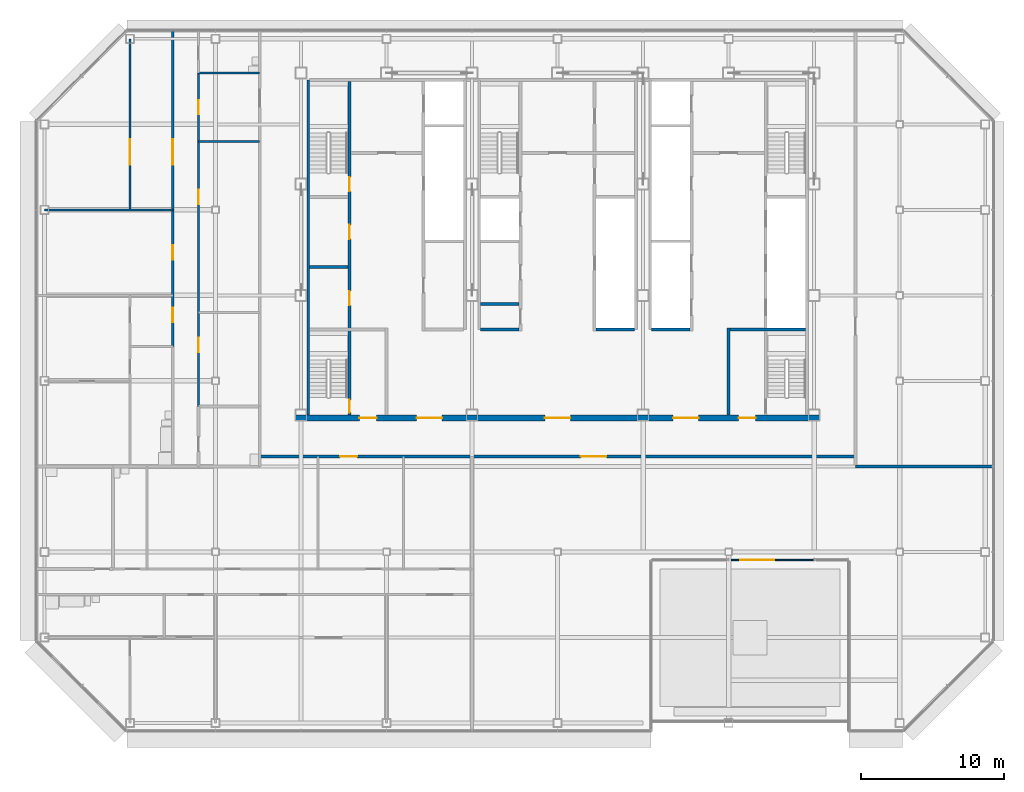
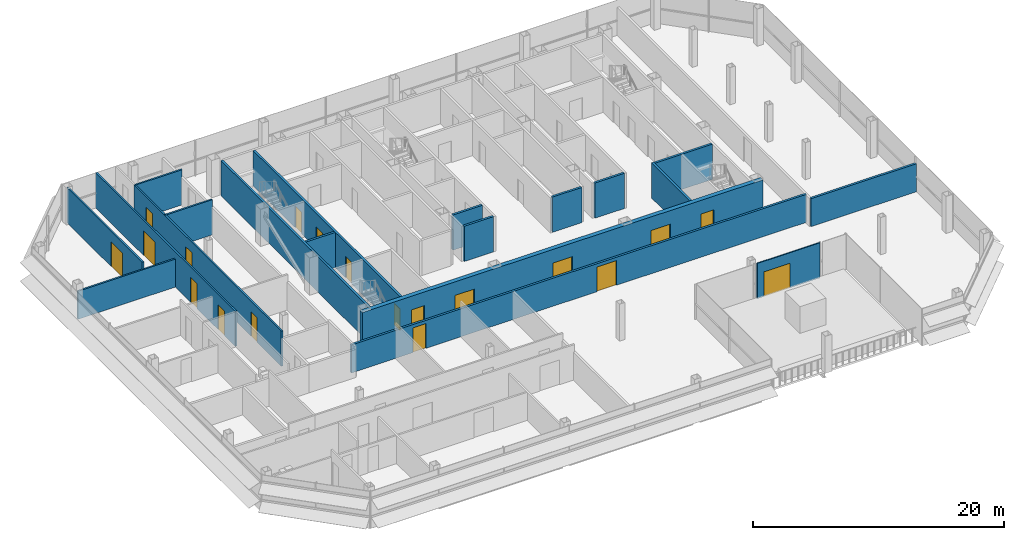
# One storey, part 23 of 30: 19 doors, 19 walls, 19 openings.
"""IFC4 building model written with IfcOpenShell, lengths in metres."""

from ifc_helpers import new_model, si_unit, direction, frame, frame_2d, origin, place, context, subcontext, project, spatial, rectangle, extrude, material, layer, layer_set, type_object, element, fill, save


model = new_model("IFC4")

# Units and contexts
model_context = context("Model", 3, precision=1e-05, world=origin(), true_north=direction((0.0, 1.0)))
body_context = subcontext(model_context, "Body", "Model", "MODEL_VIEW")
ifc_project = project(units=[si_unit("LENGTHUNIT", "METRE"), si_unit("AREAUNIT", "SQUARE_METRE"), si_unit("VOLUMEUNIT", "CUBIC_METRE"), si_unit("PLANEANGLEUNIT", "RADIAN"), si_unit("MASSUNIT", "GRAM", prefix="KILO")], contexts=[model_context])

# Site, building, storey
site_placement = place(None, origin())
site = spatial("IfcSite", under=ifc_project, at=site_placement, CompositionType="ELEMENT")
building_placement = place(site_placement, origin())
building = spatial("IfcBuilding", under=site, at=building_placement, Name="Sorahane Residences", CompositionType="ELEMENT")
storey_placement = place(building_placement, frame((0.0, 0.0, 263.0)))
storey = spatial("IfcBuildingStorey", under=building, at=storey_placement, Name="L62", CompositionType="ELEMENT", Elevation=263.0)

# Walls
ifc_material_1 = material(Name="Concrete C30", Category="concrete")
ifc_layer_1 = layer(ifc_material_1, 0.199951171875)
ifc_layer_set_1 = layer_set([ifc_layer_1], Name="Core face wall 200 EI 180")
wall_type_1 = type_object("IfcWallType", Name="Core face wall 200 EI 180", PredefinedType="SOLIDWALL", material=ifc_layer_set_1)
wall_1_placement = place(storey_placement, frame((6.5, 21.60009765625, 0.0), z_axis=(0.0, 0.0, 1.0), x_axis=(0.0, 1.0, 0.0)))
element("IfcWall", 1, at=wall_1_placement, inside=storey, type_object=wall_type_1, Name="L62 core face wall", PredefinedType="SOLIDWALL", context=body_context, shape_type="SweptSolid", body=[
    extrude(rectangle(XDim=23.5, YDim=0.199951171875, at=frame_2d((11.75, 0.0))), origin(), (0.0, 0.0, 1.0), 3.419921875),
])
ifc_material_2 = material(Name="Concrete blockwork C20 wall", Category="masonry")
ifc_layer_2 = layer(ifc_material_2, 0.199951171875)
ifc_layer_set_2 = layer_set([ifc_layer_2], Name="Corridor wall 200 EI 120")
wall_type_2 = type_object("IfcWallType", Name="Corridor wall 200 EI 120", PredefinedType="SOLIDWALL", material=ifc_layer_set_2)
wall_2_placement = place(storey_placement, frame((44.902099609375, 18.0, 0.0), z_axis=(0.0, 0.0, 1.0), x_axis=(1.0, 0.0, 0.0)))
element("IfcWall", 2, at=wall_2_placement, inside=storey, type_object=wall_type_2, Name="L62 corridor wall", PredefinedType="SOLIDWALL", context=body_context, shape_type="SweptSolid", body=[
    extrude(rectangle(XDim=9.697998046875, YDim=0.199951171875, at=frame_2d((4.84912109375, 0.0))), origin(), (0.0, 0.0, 1.0), 2.719970703125),
])

# Wall, openings, doors
wall_3_placement = place(storey_placement, frame((3.10009765625, 18.699951171875, 0.0), z_axis=(0.0, 0.0, 1.0), x_axis=(1.0, 0.0, 0.0)))
wall_3 = element("IfcWall", 3, at=wall_3_placement, inside=storey, type_object=wall_type_2, Name="L62 corridor wall", PredefinedType="SOLIDWALL", context=body_context, shape_type="SweptSolid", body=[
    extrude(rectangle(XDim=41.7998046875, YDim=0.199951171875, at=frame_2d((20.89990234375, 0.0))), origin(), (0.0, 0.0, 1.0), 2.719970703125),
])
opening_1_placement = place(wall_3_placement, frame((5.639892578125, 0.0, 0.0)))
opening_1 = element("IfcOpeningElement", 4, at=opening_1_placement, cuts=wall_3, Name="Opening L62-25", PredefinedType="OPENING", context=body_context, shape_type="SweptSolid", body=[
    extrude(rectangle(XDim=1.199951171875, YDim=2.39990234375, at=frame_2d((0.60009765625, 1.199951171875))), frame((0.0, 0.10986328125, 0.0), z_axis=(0.0, -1.0, 0.0), x_axis=(1.0, 0.0, 0.0)), (0.0, 0.0, 1.0), 0.219970703125),
])
opening_2_placement = place(wall_3_placement, frame((22.530029296875, 0.0, 0.0)))
opening_2 = element("IfcOpeningElement", 5, at=opening_2_placement, cuts=wall_3, Name="Opening L62-27", PredefinedType="OPENING", context=body_context, shape_type="SweptSolid", body=[
    extrude(rectangle(XDim=1.800048828125, YDim=2.39990234375, at=frame_2d((0.89990234375, 1.199951171875))), frame((0.0, 0.10986328125, 0.0), z_axis=(0.0, -1.0, 0.0), x_axis=(1.0, 0.0, 0.0)), (0.0, 0.0, 1.0), 0.219970703125),
])
ifc_material_3 = material(Name="Timber veneered fire door", Category="wood")
door_type_1 = type_object("IfcDoorType", Name="Double door 1800x2400 FD30", OperationType="NOTDEFINED", PredefinedType="DOOR", material=ifc_material_3)
door_1_placement = place(opening_2_placement, frame((1.800048828125, 0.0, 0.0), z_axis=(0.0, 0.0, 1.0), x_axis=(-1.0, 0.0, 0.0)))
door_1 = element("IfcDoor", 6, at=door_1_placement, inside=storey, type_object=door_type_1, Name="Double door L62-27", OperationType="SINGLE_SWING_RIGHT", OverallHeight=2.39990234375, OverallWidth=1.800048828125, PredefinedType="DOOR", context=body_context, shape_type="SweptSolid", body=[
    extrude(rectangle(XDim=1.800048828125, YDim=2.39990234375, at=frame_2d((0.89990234375, 1.199951171875))), frame((0.0, 0.02490234375, 0.0), z_axis=(0.0, -1.0, 0.0), x_axis=(1.0, 0.0, 0.0)), (0.0, 0.0, 1.0), 0.050048828125),
])
fill(opening_2, door_1)
ifc_material_4 = material(Name="Timber veneered fire door", Category="wood")
door_type_2 = type_object("IfcDoorType", Name="Flat entrance door 1200x2400 FD60", OperationType="NOTDEFINED", PredefinedType="DOOR", material=ifc_material_4)
door_2_placement = place(opening_1_placement, frame((1.199951171875, 0.0, 0.0), z_axis=(0.0, 0.0, 1.0), x_axis=(-1.0, 0.0, 0.0)))
door_2 = element("IfcDoor", 7, at=door_2_placement, inside=storey, type_object=door_type_2, Name="Flat entrance door L62-25", OperationType="SINGLE_SWING_LEFT", OverallHeight=2.39990234375, OverallWidth=1.199951171875, PredefinedType="DOOR", context=body_context, shape_type="SweptSolid", body=[
    extrude(rectangle(XDim=1.199951171875, YDim=2.39990234375, at=frame_2d((0.60009765625, 1.199951171875))), frame((0.0, 0.02490234375, 0.0), z_axis=(0.0, -1.0, 0.0), x_axis=(1.0, 0.0, 0.0)), (0.0, 0.0, 1.0), 0.050048828125),
])
fill(opening_1, door_2)

# Wall
ifc_material_5 = material(Name="Concrete C30", Category="concrete")
ifc_layer_3 = layer(ifc_material_5, 0.199951171875)
ifc_layer_set_3 = layer_set([ifc_layer_3], Name="Front room wall 200 EI 120")
wall_type_3 = type_object("IfcWallType", Name="Front room wall 200 EI 120", PredefinedType="PARTITIONING", material=ifc_layer_set_3)
wall_4_placement = place(storey_placement, frame((36.0, 21.60009765625, 0.0), z_axis=(0.0, 0.0, 1.0), x_axis=(0.0, 1.0, 0.0)))
element("IfcWall", 8, at=wall_4_placement, inside=storey, type_object=wall_type_3, Name="L62 front room wall", PredefinedType="PARTITIONING", context=body_context, shape_type="SweptSolid", body=[
    extrude(rectangle(XDim=6.099853515625, YDim=0.199951171875, at=frame_2d((3.0498046875, 0.0))), origin(), (0.0, 0.0, 1.0), 3.419921875),
])

# Wall, opening, door
ifc_material_6 = material(Name="Toughened low-iron glass", Category="glass")
ifc_layer_4 = layer(ifc_material_6, 0.10009765625)
ifc_layer_set_4 = layer_set([ifc_layer_4], Name="Glazed door screen toughened low-iron glass 100")
wall_type_4 = type_object("IfcWallType", Name="Glazed door screen toughened low-iron glass 100", PredefinedType="SOLIDWALL", material=ifc_layer_set_4)
wall_5_placement = place(storey_placement, frame((36.199951171875, 11.429931640625, 0.0), z_axis=(0.0, 0.0, 1.0), x_axis=(1.0, 0.0, 0.0)))
wall_5 = element("IfcWall", 9, at=wall_5_placement, inside=storey, type_object=wall_type_4, Name="Glazed door screen L62 S2.2", PredefinedType="SOLIDWALL", context=body_context, shape_type="SweptSolid", body=[
    extrude(rectangle(XDim=5.775146484375, YDim=0.10009765625, at=frame_2d((2.8876953125, 0.0))), origin(), (0.0, 0.0, 1.0), 3.419921875),
])
opening_3_placement = place(wall_5_placement, frame((0.59912109375, 0.0, 0.0)))
opening_3 = element("IfcOpeningElement", 10, at=opening_3_placement, cuts=wall_5, Name="Opening L62-F01", PredefinedType="OPENING", context=body_context, shape_type="SweptSolid", body=[
    extrude(rectangle(XDim=2.39990234375, YDim=2.39990234375, at=frame_2d((1.199951171875, 1.199951171875))), frame((0.0, 0.06005859375, 0.0), z_axis=(0.0, -1.0, 0.0), x_axis=(1.0, 0.0, 0.0)), (0.0, 0.0, 1.0), 0.1201171875),
])
ifc_material_7 = material(Name="Black anodised aluminium and low-iron glass", Category="aluminium")
door_type_3 = type_object("IfcDoorType", Name="Glazed terrace door black aluminium 2400x2400", OperationType="DOUBLE_DOOR_SINGLE_SWING", PredefinedType="DOOR", material=ifc_material_7)
door_3_placement = place(opening_3_placement, origin())
door_3 = element("IfcDoor", 11, at=door_3_placement, inside=storey, type_object=door_type_3, Name="Terrace door L62-F01", OperationType="DOUBLE_DOOR_SINGLE_SWING", OverallHeight=2.39990234375, OverallWidth=2.39990234375, PredefinedType="DOOR", context=body_context, shape_type="SweptSolid", body=[
    extrude(rectangle(XDim=2.39990234375, YDim=2.39990234375, at=frame_2d((1.199951171875, 1.199951171875))), frame((0.0, 0.02490234375, 0.0), z_axis=(0.0, -1.0, 0.0), x_axis=(1.0, 0.0, 0.0)), (0.0, 0.0, 1.0), 0.050048828125),
])
fill(opening_3, door_3)

# Wall
ifc_material_8 = material(Name="Concrete C30", Category="concrete")
ifc_layer_5 = layer(ifc_material_8, 0.199951171875)
ifc_layer_set_5 = layer_set([ifc_layer_5], Name="Lift shaft wall 200 EI 120")
wall_type_5 = type_object("IfcWallType", Name="Lift shaft wall 200 EI 120", PredefinedType="SOLIDWALL", material=ifc_layer_set_5)
wall_6_placement = place(storey_placement, frame((30.60009765625, 27.60009765625, 0.0), z_axis=(0.0, 0.0, 1.0), x_axis=(1.0, 0.0, 0.0)))
element("IfcWall", 12, at=wall_6_placement, inside=storey, type_object=wall_type_5, Name="L62 lift shaft wall", PredefinedType="SOLIDWALL", context=body_context, shape_type="SweptSolid", body=[
    extrude(rectangle(XDim=2.699951171875, YDim=0.199951171875, at=frame_2d((1.35009765625, 0.0))), origin(), (0.0, 0.0, 1.0), 3.419921875),
])

# Wall, openings, doors
ifc_material_9 = material(Name="Gypsum board partition on steel studs", Category="steel")
ifc_layer_6 = layer(ifc_material_9, 0.14990234375)
ifc_layer_set_6 = layer_set([ifc_layer_6], Name="Partition 150 EI 90")
wall_type_6 = type_object("IfcWallType", Name="Partition 150 EI 90", PredefinedType="PARTITIONING", material=ifc_layer_set_6)
wall_7_placement = place(storey_placement, frame((-1.199951171875, 22.199951171875, 0.0), z_axis=(0.0, 0.0, 1.0), x_axis=(0.0, 1.0, 0.0)))
wall_7 = element("IfcWall", 13, at=wall_7_placement, inside=storey, type_object=wall_type_6, Name="L62 partition", PredefinedType="PARTITIONING", context=body_context, shape_type="SweptSolid", body=[
    extrude(rectangle(XDim=23.400146484375, YDim=0.14990234375, at=frame_2d((11.7001953125, 0.0))), origin(), (0.0, 0.0, 1.0), 3.419921875),
])
opening_4_placement = place(wall_7_placement, frame((20.5, 0.0, 0.0)))
opening_4 = element("IfcOpeningElement", 14, at=opening_4_placement, cuts=wall_7, Name="Opening L62-13", PredefinedType="OPENING", context=body_context, shape_type="SweptSolid", body=[
    extrude(rectangle(XDim=1.0, YDim=2.39990234375, at=frame_2d((0.5, 1.199951171875))), frame((0.0, 0.0849609375, 0.0), z_axis=(0.0, -1.0, 0.0), x_axis=(1.0, 0.0, 0.0)), (0.0, 0.0, 1.0), 0.169921875),
])
opening_5_placement = place(wall_7_placement, frame((3.820068359375, 0.0, 0.0)))
opening_5 = element("IfcOpeningElement", 15, at=opening_5_placement, cuts=wall_7, Name="Opening L62-15", PredefinedType="OPENING", context=body_context, shape_type="SweptSolid", body=[
    extrude(rectangle(XDim=1.0, YDim=2.39990234375, at=frame_2d((0.5, 1.199951171875))), frame((0.0, 0.0849609375, 0.0), z_axis=(0.0, -1.0, 0.0), x_axis=(1.0, 0.0, 0.0)), (0.0, 0.0, 1.0), 0.169921875),
])
opening_6_placement = place(wall_7_placement, frame((14.199951171875, 0.0, 0.0)))
opening_6 = element("IfcOpeningElement", 16, at=opening_6_placement, cuts=wall_7, Name="Opening L62-16", PredefinedType="OPENING", context=body_context, shape_type="SweptSolid", body=[
    extrude(rectangle(XDim=1.0, YDim=2.39990234375, at=frame_2d((0.5, 1.199951171875))), frame((0.0, 0.0849609375, 0.0), z_axis=(0.0, -1.0, 0.0), x_axis=(1.0, 0.0, 0.0)), (0.0, 0.0, 1.0), 0.169921875),
])
ifc_material_10 = material(Name="Timber veneered fire door", Category="wood")
door_type_4 = type_object("IfcDoorType", Name="Room door 1000x2400 FD30", OperationType="NOTDEFINED", PredefinedType="DOOR", material=ifc_material_10)
door_4_placement = place(opening_4_placement, origin())
door_4 = element("IfcDoor", 17, at=door_4_placement, inside=storey, type_object=door_type_4, Name="Room door L62-13", OperationType="SINGLE_SWING_RIGHT", OverallHeight=2.39990234375, OverallWidth=1.0, PredefinedType="DOOR", context=body_context, shape_type="SweptSolid", body=[
    extrude(rectangle(XDim=1.0, YDim=2.39990234375, at=frame_2d((0.5, 1.199951171875))), frame((0.0, 0.02490234375, 0.0), z_axis=(0.0, -1.0, 0.0), x_axis=(1.0, 0.0, 0.0)), (0.0, 0.0, 1.0), 0.050048828125),
])
fill(opening_4, door_4)
door_5_placement = place(opening_5_placement, frame((1.0, 0.0, 0.0), z_axis=(0.0, 0.0, 1.0), x_axis=(-1.0, 0.0, 0.0)))
door_5 = element("IfcDoor", 18, at=door_5_placement, inside=storey, type_object=door_type_4, Name="Room door L62-15", OperationType="SINGLE_SWING_LEFT", OverallHeight=2.39990234375, OverallWidth=1.0, PredefinedType="DOOR", context=body_context, shape_type="SweptSolid", body=[
    extrude(rectangle(XDim=1.0, YDim=2.39990234375, at=frame_2d((0.5, 1.199951171875))), frame((0.0, 0.02490234375, 0.0), z_axis=(0.0, -1.0, 0.0), x_axis=(1.0, 0.0, 0.0)), (0.0, 0.0, 1.0), 0.050048828125),
])
fill(opening_5, door_5)
door_6_placement = place(opening_6_placement, frame((1.0, 0.0, 0.0), z_axis=(0.0, 0.0, 1.0), x_axis=(-1.0, 0.0, 0.0)))
door_6 = element("IfcDoor", 19, at=door_6_placement, inside=storey, type_object=door_type_4, Name="Room door L62-16", OperationType="SINGLE_SWING_RIGHT", OverallHeight=2.39990234375, OverallWidth=1.0, PredefinedType="DOOR", context=body_context, shape_type="SweptSolid", body=[
    extrude(rectangle(XDim=1.0, YDim=2.39990234375, at=frame_2d((0.5, 1.199951171875))), frame((0.0, 0.02490234375, 0.0), z_axis=(0.0, -1.0, 0.0), x_axis=(1.0, 0.0, 0.0)), (0.0, 0.0, 1.0), 0.050048828125),
])
fill(opening_6, door_6)

wall_8_placement = place(storey_placement, frame((-3.0, 26.39990234375, 0.0), z_axis=(0.0, 0.0, 1.0), x_axis=(0.0, 1.0, 0.0)))
wall_8 = element("IfcWall", 20, at=wall_8_placement, inside=storey, type_object=wall_type_6, Name="L62 partition", PredefinedType="PARTITIONING", context=body_context, shape_type="SweptSolid", body=[
    extrude(rectangle(XDim=22.2001953125, YDim=0.14990234375, at=frame_2d((11.10009765625, 0.0))), origin(), (0.0, 0.0, 1.0), 3.419921875),
])
opening_7_placement = place(wall_8_placement, frame((1.719970703125, 0.0, 0.0)))
opening_7 = element("IfcOpeningElement", 21, at=opening_7_placement, cuts=wall_8, Name="Opening L62-18", PredefinedType="OPENING", context=body_context, shape_type="SweptSolid", body=[
    extrude(rectangle(XDim=1.0, YDim=2.39990234375, at=frame_2d((0.5, 1.199951171875))), frame((0.0, 0.0849609375, 0.0), z_axis=(0.0, -1.0, 0.0), x_axis=(1.0, 0.0, 0.0)), (0.0, 0.0, 1.0), 0.169921875),
])
opening_8_placement = place(wall_8_placement, frame((6.10009765625, 0.0, 0.0)))
opening_8 = element("IfcOpeningElement", 22, at=opening_8_placement, cuts=wall_8, Name="Opening L62-19", PredefinedType="OPENING", context=body_context, shape_type="SweptSolid", body=[
    extrude(rectangle(XDim=1.0, YDim=2.39990234375, at=frame_2d((0.5, 1.199951171875))), frame((0.0, 0.0849609375, 0.0), z_axis=(0.0, -1.0, 0.0), x_axis=(1.0, 0.0, 0.0)), (0.0, 0.0, 1.0), 0.169921875),
])
opening_9_placement = place(wall_8_placement, frame((12.760009765625, 0.0, 0.0)))
opening_9 = element("IfcOpeningElement", 23, at=opening_9_placement, cuts=wall_8, Name="Opening L62-20", PredefinedType="OPENING", context=body_context, shape_type="SweptSolid", body=[
    extrude(rectangle(XDim=1.800048828125, YDim=2.39990234375, at=frame_2d((0.89990234375, 1.199951171875))), frame((0.0, 0.0849609375, 0.0), z_axis=(0.0, -1.0, 0.0), x_axis=(1.0, 0.0, 0.0)), (0.0, 0.0, 1.0), 0.169921875),
])
door_7_placement = place(opening_9_placement, origin())
door_7 = element("IfcDoor", 24, at=door_7_placement, inside=storey, type_object=door_type_1, Name="Double door L62-20", OperationType="SINGLE_SWING_LEFT", OverallHeight=2.39990234375, OverallWidth=1.800048828125, PredefinedType="DOOR", context=body_context, shape_type="SweptSolid", body=[
    extrude(rectangle(XDim=1.800048828125, YDim=2.39990234375, at=frame_2d((0.89990234375, 1.199951171875))), frame((0.0, 0.02490234375, 0.0), z_axis=(0.0, -1.0, 0.0), x_axis=(1.0, 0.0, 0.0)), (0.0, 0.0, 1.0), 0.050048828125),
])
fill(opening_9, door_7)
door_8_placement = place(opening_7_placement, origin())
door_8 = element("IfcDoor", 25, at=door_8_placement, inside=storey, type_object=door_type_4, Name="Room door L62-18", OperationType="SINGLE_SWING_RIGHT", OverallHeight=2.39990234375, OverallWidth=1.0, PredefinedType="DOOR", context=body_context, shape_type="SweptSolid", body=[
    extrude(rectangle(XDim=1.0, YDim=2.39990234375, at=frame_2d((0.5, 1.199951171875))), frame((0.0, 0.02490234375, 0.0), z_axis=(0.0, -1.0, 0.0), x_axis=(1.0, 0.0, 0.0)), (0.0, 0.0, 1.0), 0.050048828125),
])
fill(opening_7, door_8)
door_9_placement = place(opening_8_placement, origin())
door_9 = element("IfcDoor", 26, at=door_9_placement, inside=storey, type_object=door_type_4, Name="Room door L62-19", OperationType="SINGLE_SWING_RIGHT", OverallHeight=2.39990234375, OverallWidth=1.0, PredefinedType="DOOR", context=body_context, shape_type="SweptSolid", body=[
    extrude(rectangle(XDim=1.0, YDim=2.39990234375, at=frame_2d((0.5, 1.199951171875))), frame((0.0, 0.02490234375, 0.0), z_axis=(0.0, -1.0, 0.0), x_axis=(1.0, 0.0, 0.0)), (0.0, 0.0, 1.0), 0.050048828125),
])
fill(opening_8, door_9)

# Wall, opening, door
wall_9_placement = place(storey_placement, frame((-6.0, 36.0, 0.0), z_axis=(0.0, 0.0, 1.0), x_axis=(0.0, 1.0, 0.0)))
wall_9 = element("IfcWall", 27, at=wall_9_placement, inside=storey, type_object=wall_type_6, Name="L62 partition", PredefinedType="PARTITIONING", context=body_context, shape_type="SweptSolid", body=[
    extrude(rectangle(XDim=12.0, YDim=0.14990234375, at=frame_2d((6.0, 0.0))), origin(), (0.0, 0.0, 1.0), 3.419921875),
])
opening_10_placement = place(wall_9_placement, frame((3.159912109375, 0.0, 0.0)))
opening_10 = element("IfcOpeningElement", 28, at=opening_10_placement, cuts=wall_9, Name="Opening L62-24", PredefinedType="OPENING", context=body_context, shape_type="SweptSolid", body=[
    extrude(rectangle(XDim=1.800048828125, YDim=2.39990234375, at=frame_2d((0.89990234375, 1.199951171875))), frame((0.0, 0.0849609375, 0.0), z_axis=(0.0, -1.0, 0.0), x_axis=(1.0, 0.0, 0.0)), (0.0, 0.0, 1.0), 0.169921875),
])
door_10_placement = place(opening_10_placement, origin())
door_10 = element("IfcDoor", 29, at=door_10_placement, inside=storey, type_object=door_type_1, Name="Double door L62-24", OperationType="SINGLE_SWING_LEFT", OverallHeight=2.39990234375, OverallWidth=1.800048828125, PredefinedType="DOOR", context=body_context, shape_type="SweptSolid", body=[
    extrude(rectangle(XDim=1.800048828125, YDim=2.39990234375, at=frame_2d((0.89990234375, 1.199951171875))), frame((0.0, 0.02490234375, 0.0), z_axis=(0.0, -1.0, 0.0), x_axis=(1.0, 0.0, 0.0)), (0.0, 0.0, 1.0), 0.050048828125),
])
fill(opening_10, door_10)

# Walls
wall_10_placement = place(storey_placement, frame((-12.0, 36.0, 0.0), z_axis=(0.0, 0.0, 1.0), x_axis=(1.0, 0.0, 0.0)))
element("IfcWall", 30, at=wall_10_placement, inside=storey, type_object=wall_type_6, Name="L62 partition", PredefinedType="PARTITIONING", context=body_context, shape_type="SweptSolid", body=[
    extrude(rectangle(XDim=9.0, YDim=0.14990234375, at=frame_2d((4.5, 0.0))), origin(), (0.0, 0.0, 1.0), 2.719970703125),
])
wall_11_placement = place(storey_placement, frame((-1.199951171875, 40.800048828125, 0.0), z_axis=(0.0, 0.0, 1.0), x_axis=(1.0, 0.0, 0.0)))
element("IfcWall", 31, at=wall_11_placement, inside=storey, type_object=wall_type_6, Name="L62 partition", PredefinedType="PARTITIONING", context=body_context, shape_type="SweptSolid", body=[
    extrude(rectangle(XDim=4.300048828125, YDim=0.14990234375, at=frame_2d((2.14990234375, 0.0))), origin(), (0.0, 0.0, 1.0), 3.419921875),
])
ifc_material_11 = material(Name="Concrete C30", Category="concrete")
ifc_layer_7 = layer(ifc_material_11, 0.199951171875)
ifc_layer_set_7 = layer_set([ifc_layer_7], Name="Riser shaft wall 200 EI 120")
wall_type_7 = type_object("IfcWallType", Name="Riser shaft wall 200 EI 120", PredefinedType="SOLIDWALL", material=ifc_layer_set_7)
wall_12_placement = place(storey_placement, frame((26.699951171875, 27.60009765625, 0.0), z_axis=(0.0, 0.0, 1.0), x_axis=(1.0, 0.0, 0.0)))
element("IfcWall", 32, at=wall_12_placement, inside=storey, type_object=wall_type_7, Name="L62 riser wall", PredefinedType="SOLIDWALL", context=body_context, shape_type="SweptSolid", body=[
    extrude(rectangle(XDim=2.699951171875, YDim=0.199951171875, at=frame_2d((1.35009765625, 0.0))), origin(), (0.0, 0.0, 1.0), 3.419921875),
])
ifc_material_12 = material(Name="Concrete C30", Category="concrete")
ifc_layer_8 = layer(ifc_material_12, 0.199951171875)
ifc_layer_set_8 = layer_set([ifc_layer_8], Name="Service room partition 200 EI 60")
wall_type_8 = type_object("IfcWallType", Name="Service room partition 200 EI 60", PredefinedType="PARTITIONING", material=ifc_layer_set_8)
for number, where, z_axis, x_axis, name in (
    (33, (18.60009765625, 27.60009765625, 0.0), (0.0, 0.0, 1.0), (1.0, 0.0, 0.0), "L62 service room wall"),
    (34, (18.60009765625, 29.39990234375, 0.0), (0.0, 0.0, 1.0), (1.0, 0.0, 0.0), "L62 service room wall"),
    (35, (6.60009765625, 32.0, 0.0), (0.0, 0.0, 1.0), (1.0, 0.0, 0.0), "L62 service room wall"),
):
    element("IfcWall", number, at=place(storey_placement, frame(where, z_axis=z_axis, x_axis=x_axis)), inside=storey, type_object=wall_type_8, Name=name, PredefinedType="PARTITIONING", context=body_context, shape_type="SweptSolid", body=[
        extrude(rectangle(XDim=2.699951171875, YDim=0.199951171875, at=frame_2d((1.35009765625, 0.0))), origin(), (0.0, 0.0, 1.0), 3.419921875),
    ])

# Wall, openings, doors
ifc_material_13 = material(Name="Concrete C30", Category="concrete")
ifc_layer_9 = layer(ifc_material_13, 0.199951171875)
ifc_layer_set_9 = layer_set([ifc_layer_9], Name="Stair enclosure wall 200 EI 120")
wall_type_9 = type_object("IfcWallType", Name="Stair enclosure wall 200 EI 120", PredefinedType="SOLIDWALL", material=ifc_layer_set_9)
wall_13_placement = place(storey_placement, frame((9.39990234375, 21.60009765625, 0.0), z_axis=(0.0, 0.0, 1.0), x_axis=(0.0, 1.0, 0.0)))
wall_13 = element("IfcWall", 36, at=wall_13_placement, inside=storey, type_object=wall_type_9, Name="L62 stair enclosure wall", PredefinedType="SOLIDWALL", context=body_context, shape_type="SweptSolid", body=[
    extrude(rectangle(XDim=23.39990234375, YDim=0.199951171875, at=frame_2d((11.699951171875, 0.0))), origin(), (0.0, 0.0, 1.0), 3.419921875),
])
opening_11_placement = place(wall_13_placement, frame((7.699951171875, 0.0, 0.0)))
opening_11 = element("IfcOpeningElement", 37, at=opening_11_placement, cuts=wall_13, Name="Opening L62-C19", PredefinedType="OPENING", context=body_context, shape_type="SweptSolid", body=[
    extrude(rectangle(XDim=1.0, YDim=2.10009765625, at=frame_2d((0.5, 1.050048828125))), frame((0.0, 0.10986328125, 0.0), z_axis=(0.0, -1.0, 0.0), x_axis=(1.0, 0.0, 0.0)), (0.0, 0.0, 1.0), 0.219970703125),
])
opening_12_placement = place(wall_13_placement, frame((12.35009765625, 0.0, 0.0)))
opening_12 = element("IfcOpeningElement", 38, at=opening_12_placement, cuts=wall_13, Name="Opening L62-C20", PredefinedType="OPENING", context=body_context, shape_type="SweptSolid", body=[
    extrude(rectangle(XDim=1.0, YDim=2.10009765625, at=frame_2d((0.5, 1.050048828125))), frame((0.0, 0.10986328125, 0.0), z_axis=(0.0, -1.0, 0.0), x_axis=(1.0, 0.0, 0.0)), (0.0, 0.0, 1.0), 0.219970703125),
])
opening_13_placement = place(wall_13_placement, frame((15.699951171875, 0.0, 0.0)))
opening_13 = element("IfcOpeningElement", 39, at=opening_13_placement, cuts=wall_13, Name="Opening L62-C21", PredefinedType="OPENING", context=body_context, shape_type="SweptSolid", body=[
    extrude(rectangle(XDim=1.0, YDim=2.10009765625, at=frame_2d((0.5, 1.050048828125))), frame((0.0, 0.10986328125, 0.0), z_axis=(0.0, -1.0, 0.0), x_axis=(1.0, 0.0, 0.0)), (0.0, 0.0, 1.0), 0.219970703125),
])
opening_14_placement = place(wall_13_placement, frame((0.175048828125, 0.0, 0.0)))
opening_14 = element("IfcOpeningElement", 40, at=opening_14_placement, cuts=wall_13, Name="Opening L62-C24", PredefinedType="OPENING", context=body_context, shape_type="SweptSolid", body=[
    extrude(rectangle(XDim=0.89990234375, YDim=2.10009765625, at=frame_2d((0.449951171875, 1.050048828125))), frame((0.0, 0.10986328125, 0.0), z_axis=(0.0, -1.0, 0.0), x_axis=(1.0, 0.0, 0.0)), (0.0, 0.0, 1.0), 0.219970703125),
])
ifc_material_14 = material(Name="Steel", Category="steel")
door_type_5 = type_object("IfcDoorType", Name="Service room door 1000x2100 FD60", OperationType="NOTDEFINED", PredefinedType="DOOR", material=ifc_material_14)
door_11_placement = place(opening_11_placement, origin())
door_11 = element("IfcDoor", 41, at=door_11_placement, inside=storey, type_object=door_type_5, Name="Service room door Gift store L62", OperationType="SINGLE_SWING_LEFT", OverallHeight=2.10009765625, OverallWidth=1.0, PredefinedType="DOOR", context=body_context, shape_type="SweptSolid", body=[
    extrude(rectangle(XDim=1.0, YDim=2.10009765625, at=frame_2d((0.5, 1.050048828125))), frame((0.0, 0.02490234375, 0.0), z_axis=(0.0, -1.0, 0.0), x_axis=(1.0, 0.0, 0.0)), (0.0, 0.0, 1.0), 0.050048828125),
])
fill(opening_11, door_11)
door_12_placement = place(opening_12_placement, origin())
door_12 = element("IfcDoor", 42, at=door_12_placement, inside=storey, type_object=door_type_5, Name="Service room door Flower room L62", OperationType="SINGLE_SWING_LEFT", OverallHeight=2.10009765625, OverallWidth=1.0, PredefinedType="DOOR", context=body_context, shape_type="SweptSolid", body=[
    extrude(rectangle(XDim=1.0, YDim=2.10009765625, at=frame_2d((0.5, 1.050048828125))), frame((0.0, 0.02490234375, 0.0), z_axis=(0.0, -1.0, 0.0), x_axis=(1.0, 0.0, 0.0)), (0.0, 0.0, 1.0), 0.050048828125),
])
fill(opening_12, door_12)
ifc_material_15 = material(Name="Steel", Category="steel")
door_type_6 = type_object("IfcDoorType", Name="Stair door 1000x2100 FD120", OperationType="NOTDEFINED", PredefinedType="DOOR", material=ifc_material_15)
door_13_placement = place(opening_13_placement, origin())
door_13 = element("IfcDoor", 43, at=door_13_placement, inside=storey, type_object=door_type_6, Name="Stair door S1 L62", OperationType="SINGLE_SWING_LEFT", OverallHeight=2.10009765625, OverallWidth=1.0, PredefinedType="DOOR", context=body_context, shape_type="SweptSolid", body=[
    extrude(rectangle(XDim=1.0, YDim=2.10009765625, at=frame_2d((0.5, 1.050048828125))), frame((0.0, 0.02490234375, 0.0), z_axis=(0.0, -1.0, 0.0), x_axis=(1.0, 0.0, 0.0)), (0.0, 0.0, 1.0), 0.050048828125),
])
fill(opening_13, door_13)
ifc_material_16 = material(Name="Steel", Category="steel")
door_type_7 = type_object("IfcDoorType", Name="Stair door 900x2100 FD120", OperationType="NOTDEFINED", PredefinedType="DOOR", material=ifc_material_16)
door_14_placement = place(opening_14_placement, origin())
door_14 = element("IfcDoor", 44, at=door_14_placement, inside=storey, type_object=door_type_7, Name="Stair door S4 L62", OperationType="SINGLE_SWING_LEFT", OverallHeight=2.10009765625, OverallWidth=0.89990234375, PredefinedType="DOOR", context=body_context, shape_type="SweptSolid", body=[
    extrude(rectangle(XDim=0.89990234375, YDim=2.10009765625, at=frame_2d((0.449951171875, 1.050048828125))), frame((0.0, 0.02490234375, 0.0), z_axis=(0.0, -1.0, 0.0), x_axis=(1.0, 0.0, 0.0)), (0.0, 0.0, 1.0), 0.050048828125),
])
fill(opening_14, door_14)

# Wall
wall_14_placement = place(storey_placement, frame((36.10009765625, 27.60009765625, 0.0), z_axis=(0.0, 0.0, 1.0), x_axis=(1.0, 0.0, 0.0)))
element("IfcWall", 45, at=wall_14_placement, inside=storey, type_object=wall_type_9, Name="L62 stair enclosure wall", PredefinedType="SOLIDWALL", context=body_context, shape_type="SweptSolid", body=[
    extrude(rectangle(XDim=5.2998046875, YDim=0.199951171875, at=frame_2d((2.64990234375, 0.0))), origin(), (0.0, 0.0, 1.0), 3.419921875),
])

# Wall, openings, doors
ifc_material_17 = material(Name="Concrete C30", Category="concrete")
ifc_layer_10 = layer(ifc_material_17, 0.39990234375)
ifc_layer_set_10 = layer_set([ifc_layer_10], Name="Waiting hall wall 400 EI 120")
wall_type_10 = type_object("IfcWallType", Name="Waiting hall wall 400 EI 120", PredefinedType="SOLIDWALL", material=ifc_layer_set_10)
wall_15_placement = place(storey_placement, frame((5.60009765625, 21.39990234375, 0.0), z_axis=(0.0, 0.0, 1.0), x_axis=(1.0, 0.0, 0.0)))
wall_15 = element("IfcWall", 46, at=wall_15_placement, inside=storey, type_object=wall_type_10, Name="L62 waiting hall wall", PredefinedType="SOLIDWALL", context=body_context, shape_type="SweptSolid", body=[
    extrude(rectangle(XDim=36.7998046875, YDim=0.39990234375, at=frame_2d((18.39990234375, 0.0))), origin(), (0.0, 0.0, 1.0), 3.419921875),
])
opening_15_placement = place(wall_15_placement, frame((8.5, 0.0, 0.0)))
opening_15 = element("IfcOpeningElement", 47, at=opening_15_placement, cuts=wall_15, Name="Opening L62-C01", PredefinedType="OPENING", context=body_context, shape_type="SweptSolid", body=[
    extrude(rectangle(XDim=1.800048828125, YDim=2.10009765625, at=frame_2d((0.89990234375, 1.050048828125))), frame((0.0, 0.2099609375, 0.0), z_axis=(0.0, -1.0, 0.0), x_axis=(1.0, 0.0, 0.0)), (0.0, 0.0, 1.0), 0.419921875),
])
opening_16_placement = place(wall_15_placement, frame((17.5, 0.0, 0.0)))
opening_16 = element("IfcOpeningElement", 48, at=opening_16_placement, cuts=wall_15, Name="Opening L62-C02", PredefinedType="OPENING", context=body_context, shape_type="SweptSolid", body=[
    extrude(rectangle(XDim=1.800048828125, YDim=2.10009765625, at=frame_2d((0.89990234375, 1.050048828125))), frame((0.0, 0.2099609375, 0.0), z_axis=(0.0, -1.0, 0.0), x_axis=(1.0, 0.0, 0.0)), (0.0, 0.0, 1.0), 0.419921875),
])
opening_17_placement = place(wall_15_placement, frame((26.5, 0.0, 0.0)))
opening_17 = element("IfcOpeningElement", 49, at=opening_17_placement, cuts=wall_15, Name="Opening L62-C03", PredefinedType="OPENING", context=body_context, shape_type="SweptSolid", body=[
    extrude(rectangle(XDim=1.800048828125, YDim=2.10009765625, at=frame_2d((0.89990234375, 1.050048828125))), frame((0.0, 0.2099609375, 0.0), z_axis=(0.0, -1.0, 0.0), x_axis=(1.0, 0.0, 0.0)), (0.0, 0.0, 1.0), 0.419921875),
])
opening_18_placement = place(wall_15_placement, frame((4.5, 0.0, 0.0)))
opening_18 = element("IfcOpeningElement", 50, at=opening_18_placement, cuts=wall_15, Name="Opening L62-C04", PredefinedType="OPENING", context=body_context, shape_type="SweptSolid", body=[
    extrude(rectangle(XDim=1.199951171875, YDim=2.10009765625, at=frame_2d((0.60009765625, 1.050048828125))), frame((0.0, 0.2099609375, 0.0), z_axis=(0.0, -1.0, 0.0), x_axis=(1.0, 0.0, 0.0)), (0.0, 0.0, 1.0), 0.419921875),
])
opening_19_placement = place(wall_15_placement, frame((31.10009765625, 0.0, 0.0)))
opening_19 = element("IfcOpeningElement", 51, at=opening_19_placement, cuts=wall_15, Name="Opening L62-C05", PredefinedType="OPENING", context=body_context, shape_type="SweptSolid", body=[
    extrude(rectangle(XDim=1.199951171875, YDim=2.10009765625, at=frame_2d((0.60009765625, 1.050048828125))), frame((0.0, 0.2099609375, 0.0), z_axis=(0.0, -1.0, 0.0), x_axis=(1.0, 0.0, 0.0)), (0.0, 0.0, 1.0), 0.419921875),
])
ifc_material_18 = material(Name="Steel", Category="steel")
door_type_8 = type_object("IfcDoorType", Name="Stair front room door 1200x2100 FD120", OperationType="NOTDEFINED", PredefinedType="DOOR", material=ifc_material_18)
door_15_placement = place(opening_18_placement, frame((1.199951171875, 0.0, 0.0), z_axis=(0.0, 0.0, 1.0), x_axis=(-1.0, 0.0, 0.0)))
door_15 = element("IfcDoor", 52, at=door_15_placement, inside=storey, type_object=door_type_8, Name="Stair front room door Stair S4 front room L62", OperationType="SINGLE_SWING_LEFT", OverallHeight=2.10009765625, OverallWidth=1.199951171875, PredefinedType="DOOR", context=body_context, shape_type="SweptSolid", body=[
    extrude(rectangle(XDim=1.199951171875, YDim=2.10009765625, at=frame_2d((0.60009765625, 1.050048828125))), frame((0.0, 0.02490234375, 0.0), z_axis=(0.0, -1.0, 0.0), x_axis=(1.0, 0.0, 0.0)), (0.0, 0.0, 1.0), 0.050048828125),
])
fill(opening_18, door_15)
door_16_placement = place(opening_19_placement, frame((1.199951171875, 0.0, 0.0), z_axis=(0.0, 0.0, 1.0), x_axis=(-1.0, 0.0, 0.0)))
door_16 = element("IfcDoor", 53, at=door_16_placement, inside=storey, type_object=door_type_8, Name="Stair front room door Stair S5 front room L62", OperationType="SINGLE_SWING_LEFT", OverallHeight=2.10009765625, OverallWidth=1.199951171875, PredefinedType="DOOR", context=body_context, shape_type="SweptSolid", body=[
    extrude(rectangle(XDim=1.199951171875, YDim=2.10009765625, at=frame_2d((0.60009765625, 1.050048828125))), frame((0.0, 0.02490234375, 0.0), z_axis=(0.0, -1.0, 0.0), x_axis=(1.0, 0.0, 0.0)), (0.0, 0.0, 1.0), 0.050048828125),
])
fill(opening_19, door_16)
ifc_material_19 = material(Name="Steel", Category="steel")
door_type_9 = type_object("IfcDoorType", Name="Waiting hall door 1800x2100 FD60", OperationType="NOTDEFINED", PredefinedType="DOOR", material=ifc_material_19)
door_17_placement = place(opening_15_placement, frame((1.800048828125, 0.0, 0.0), z_axis=(0.0, 0.0, 1.0), x_axis=(-1.0, 0.0, 0.0)))
door_17 = element("IfcDoor", 54, at=door_17_placement, inside=storey, type_object=door_type_9, Name="Waiting hall door Residents' waiting hall L62", OperationType="SINGLE_SWING_LEFT", OverallHeight=2.10009765625, OverallWidth=1.800048828125, PredefinedType="DOOR", context=body_context, shape_type="SweptSolid", body=[
    extrude(rectangle(XDim=1.800048828125, YDim=2.10009765625, at=frame_2d((0.89990234375, 1.050048828125))), frame((0.0, 0.02490234375, 0.0), z_axis=(0.0, -1.0, 0.0), x_axis=(1.0, 0.0, 0.0)), (0.0, 0.0, 1.0), 0.050048828125),
])
fill(opening_15, door_17)
door_18_placement = place(opening_16_placement, frame((1.800048828125, 0.0, 0.0), z_axis=(0.0, 0.0, 1.0), x_axis=(-1.0, 0.0, 0.0)))
door_18 = element("IfcDoor", 55, at=door_18_placement, inside=storey, type_object=door_type_9, Name="Waiting hall door Residents' waiting hall L62", OperationType="SINGLE_SWING_LEFT", OverallHeight=2.10009765625, OverallWidth=1.800048828125, PredefinedType="DOOR", context=body_context, shape_type="SweptSolid", body=[
    extrude(rectangle(XDim=1.800048828125, YDim=2.10009765625, at=frame_2d((0.89990234375, 1.050048828125))), frame((0.0, 0.02490234375, 0.0), z_axis=(0.0, -1.0, 0.0), x_axis=(1.0, 0.0, 0.0)), (0.0, 0.0, 1.0), 0.050048828125),
])
fill(opening_16, door_18)
door_19_placement = place(opening_17_placement, frame((1.800048828125, 0.0, 0.0), z_axis=(0.0, 0.0, 1.0), x_axis=(-1.0, 0.0, 0.0)))
door_19 = element("IfcDoor", 56, at=door_19_placement, inside=storey, type_object=door_type_9, Name="Waiting hall door Residents' waiting hall L62", OperationType="SINGLE_SWING_LEFT", OverallHeight=2.10009765625, OverallWidth=1.800048828125, PredefinedType="DOOR", context=body_context, shape_type="SweptSolid", body=[
    extrude(rectangle(XDim=1.800048828125, YDim=2.10009765625, at=frame_2d((0.89990234375, 1.050048828125))), frame((0.0, 0.02490234375, 0.0), z_axis=(0.0, -1.0, 0.0), x_axis=(1.0, 0.0, 0.0)), (0.0, 0.0, 1.0), 0.050048828125),
])
fill(opening_17, door_19)

# Wall
ifc_material_20 = material(Name="Gypsum board partition on steel studs", Category="steel")
ifc_layer_11 = layer(ifc_material_20, 0.14990234375)
ifc_layer_set_11 = layer_set([ifc_layer_11], Name="Wet wall 150 EI 90")
wall_type_11 = type_object("IfcWallType", Name="Wet wall 150 EI 90", PredefinedType="PARTITIONING", material=ifc_layer_set_11)
wall_16_placement = place(storey_placement, frame((-1.199951171875, 45.60009765625, 0.0), z_axis=(0.0, 0.0, 1.0), x_axis=(1.0, 0.0, 0.0)))
element("IfcWall", 57, at=wall_16_placement, inside=storey, type_object=wall_type_11, Name="L62 wet wall", PredefinedType="PARTITIONING", context=body_context, shape_type="SweptSolid", body=[
    extrude(rectangle(XDim=4.300048828125, YDim=0.14990234375, at=frame_2d((2.14990234375, 0.0))), origin(), (0.0, 0.0, 1.0), 3.419921875),
])

save(model, "model.ifc")
